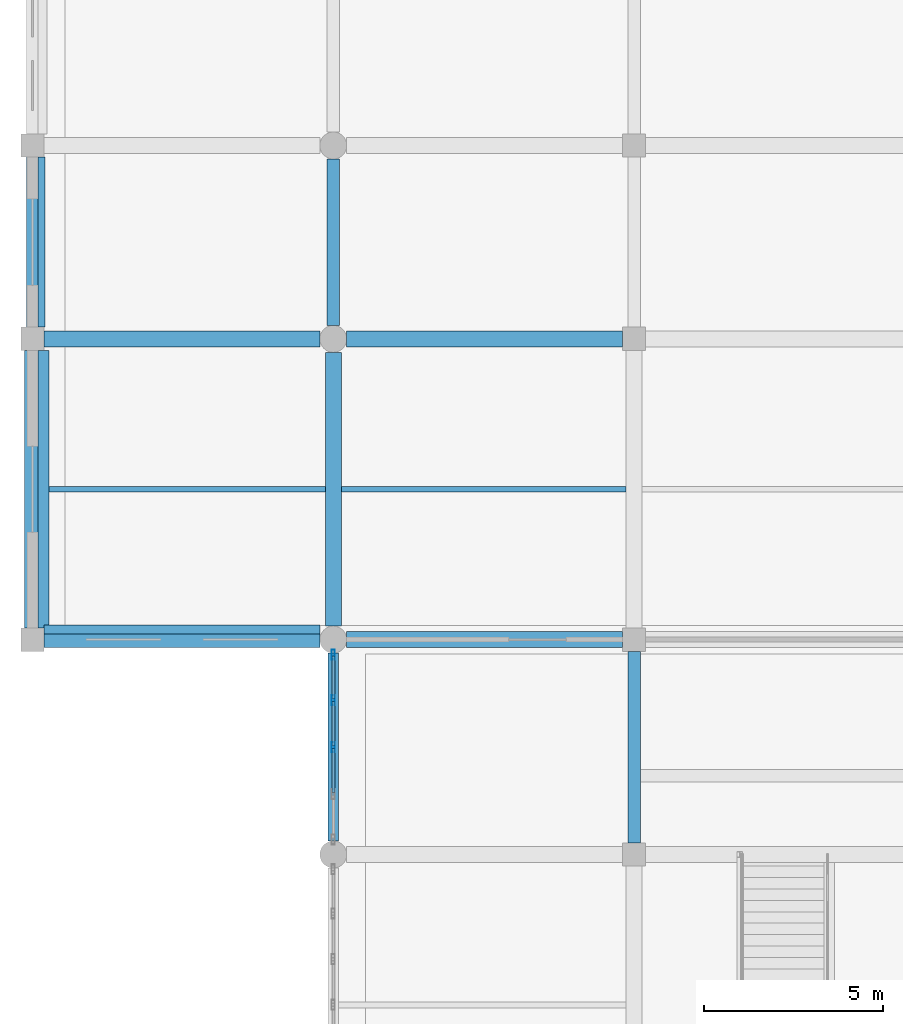
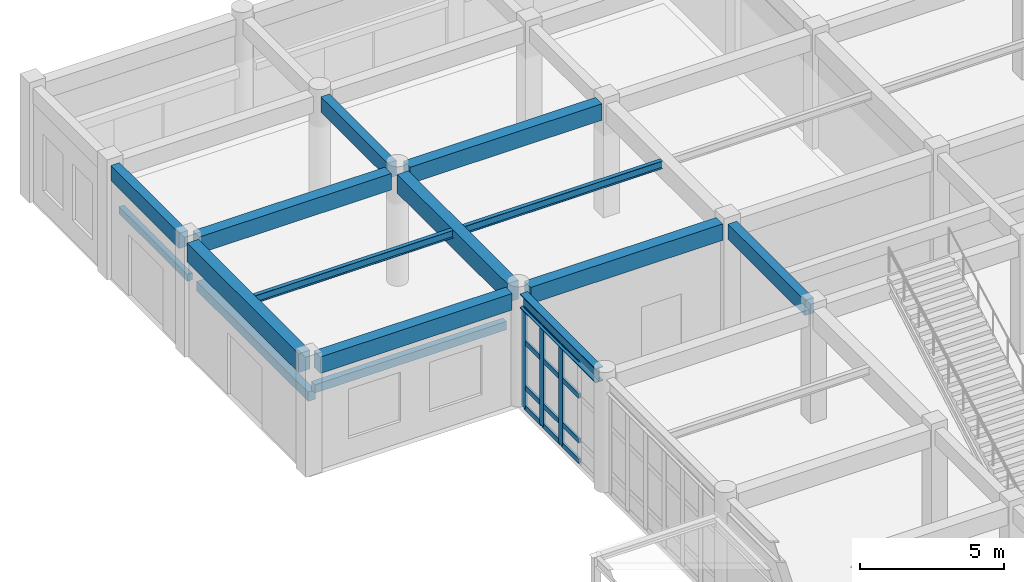
# One storey, part 30 of 80: 15 beams, 15 members, 1 element without a shape of its own.
"""IFC4 building model written with IfcOpenShell, lengths in metres."""

from ifc_helpers import new_model, si_unit, direction, frame, origin, origin_2d, place, context, subcontext, project, spatial, rectangle, hollow_rectangle, i_section, extrude, material, layer, layer_set, material_profile, profile_set, type_object, element, aggregate, save


model = new_model("IFC4")

# Units and contexts
model_context = context("Model", 3, precision=1e-05, world=origin(), true_north=direction((0.0, 1.0)))
body_context = subcontext(model_context, "Body", "Model", "MODEL_VIEW")
ifc_project = project(units=[si_unit("LENGTHUNIT", "METRE"), si_unit("AREAUNIT", "SQUARE_METRE"), si_unit("VOLUMEUNIT", "CUBIC_METRE"), si_unit("PLANEANGLEUNIT", "RADIAN"), si_unit("MASSUNIT", "GRAM", prefix="KILO")], contexts=[model_context])

# Site, building, storey
site_placement = place(None, origin())
site = spatial("IfcSite", under=ifc_project, at=site_placement, CompositionType="ELEMENT")
building_placement = place(site_placement, origin())
building = spatial("IfcBuilding", under=site, at=building_placement, Name="Krzemoval Escarpment Law Courts", CompositionType="ELEMENT")
storey_placement = place(building_placement, origin())
storey = spatial("IfcBuildingStorey", under=building, at=storey_placement, Name="L00", CompositionType="ELEMENT", Elevation=0.0)

# Beams
ifc_material_1 = material(Name="Concrete C40/50", Category="concrete")
ifc_material_profile_1 = material_profile(ifc_material_1, rectangle(XDim=0.35009765625, YDim=0.64990234375, at=origin_2d()), Name="RCB 350x650")
ifc_profile_set_1 = profile_set([ifc_material_profile_1], Name="Concrete C40/50")
beam_type_1 = type_object("IfcBeamType", Name="BM-RC-350x650", PredefinedType="BEAM", material=ifc_profile_set_1)
beam_1_placement = place(storey_placement, frame((0.0, 108.324951171875, 4.4951171875), z_axis=(0.0, 1.0, 0.0), x_axis=(-1.0, 0.0, 0.0)))
element("IfcBeam", 1, at=beam_1_placement, inside=storey, type_object=beam_type_1, Name="Beam FG-L00-0818", PredefinedType="BEAM", context=body_context, shape_type="SweptSolid", body=[
    extrude(rectangle(XDim=0.35009765625, YDim=0.64990234375, at=origin_2d()), origin(), (0.0, 0.0, 1.0), 4.75),
])
beam_2_placement = place(storey_placement, frame((8.39990234375, 108.375, 4.4951171875), z_axis=(0.0, 1.0, 0.0), x_axis=(-1.0, 0.0, 0.0)))
element("IfcBeam", 2, at=beam_2_placement, inside=storey, type_object=beam_type_1, Name="Beam FG-L00-0834", PredefinedType="BEAM", context=body_context, shape_type="SweptSolid", body=[
    extrude(rectangle(XDim=0.35009765625, YDim=0.64990234375, at=origin_2d()), origin(), (0.0, 0.0, 1.0), 4.64990234375),
])
beam_3_placement = place(storey_placement, frame((16.800048828125, 93.925048828125, 4.4951171875), z_axis=(0.0, 1.0, 0.0), x_axis=(-1.0, 0.0, 0.0)))
element("IfcBeam", 3, at=beam_3_placement, inside=storey, type_object=beam_type_1, Name="Beam FG-L00-0848", PredefinedType="BEAM", context=body_context, shape_type="SweptSolid", body=[
    extrude(rectangle(XDim=0.35009765625, YDim=0.64990234375, at=origin_2d()), origin(), (0.0, 0.0, 1.0), 5.349853515625),
])
ifc_material_2 = material(Name="Concrete C40/50", Category="concrete")
ifc_material_profile_2 = material_profile(ifc_material_2, rectangle(XDim=0.449951171875, YDim=0.699951171875, at=origin_2d()), Name="RCB 450x700")
ifc_profile_set_2 = profile_set([ifc_material_profile_2], Name="Concrete C40/50")
beam_type_2 = type_object("IfcBeamType", Name="BM-RC-450x700", PredefinedType="BEAM", material=ifc_profile_set_2)
beam_4_placement = place(storey_placement, frame((0.324951171875, 99.60009765625, 4.469970703125), z_axis=(1.0, 0.0, 0.0), x_axis=(0.0, 1.0, 0.0)))
element("IfcBeam", 4, at=beam_4_placement, inside=storey, type_object=beam_type_2, Name="Beam FG-L00-0741", PredefinedType="BEAM", context=body_context, shape_type="SweptSolid", body=[
    extrude(rectangle(XDim=0.449951171875, YDim=0.699951171875, at=origin_2d()), origin(), (0.0, 0.0, 1.0), 7.699951171875),
])
beam_5_placement = place(storey_placement, frame((8.77490234375, 99.60009765625, 4.469970703125), z_axis=(1.0, 0.0, 0.0), x_axis=(0.0, 1.0, 0.0)))
element("IfcBeam", 5, at=beam_5_placement, inside=storey, type_object=beam_type_2, Name="Beam FG-L00-0742", PredefinedType="BEAM", context=body_context, shape_type="SweptSolid", body=[
    extrude(rectangle(XDim=0.449951171875, YDim=0.699951171875, at=origin_2d()), origin(), (0.0, 0.0, 1.0), 7.7001953125),
])
beam_6_placement = place(storey_placement, frame((0.324951171875, 108.0, 4.469970703125), z_axis=(1.0, 0.0, 0.0), x_axis=(0.0, 1.0, 0.0)))
element("IfcBeam", 6, at=beam_6_placement, inside=storey, type_object=beam_type_2, Name="Beam FG-L00-0760", PredefinedType="BEAM", context=body_context, shape_type="SweptSolid", body=[
    extrude(rectangle(XDim=0.449951171875, YDim=0.699951171875, at=origin_2d()), origin(), (0.0, 0.0, 1.0), 7.699951171875),
])
beam_7_placement = place(storey_placement, frame((8.77490234375, 108.0, 4.469970703125), z_axis=(1.0, 0.0, 0.0), x_axis=(0.0, 1.0, 0.0)))
element("IfcBeam", 7, at=beam_7_placement, inside=storey, type_object=beam_type_2, Name="Beam FG-L00-0761", PredefinedType="BEAM", context=body_context, shape_type="SweptSolid", body=[
    extrude(rectangle(XDim=0.449951171875, YDim=0.699951171875, at=origin_2d()), origin(), (0.0, 0.0, 1.0), 7.7001953125),
])
ifc_material_3 = material(Name="Concrete C40/50", Category="concrete")
ifc_material_profile_3 = material_profile(ifc_material_3, rectangle(XDim=0.449951171875, YDim=0.800048828125, at=origin_2d()), Name="RCB 450x800")
ifc_profile_set_3 = profile_set([ifc_material_profile_3], Name="Concrete C40/50")
beam_type_3 = type_object("IfcBeamType", Name="BM-RC-450x800", PredefinedType="BEAM", material=ifc_profile_set_3)
beam_8_placement = place(storey_placement, frame((0.0, 99.925048828125, 4.419921875), z_axis=(0.0, 1.0, 0.0), x_axis=(-1.0, 0.0, 0.0)))
element("IfcBeam", 8, at=beam_8_placement, inside=storey, type_object=beam_type_3, Name="Beam FG-L00-0817", PredefinedType="BEAM", context=body_context, shape_type="SweptSolid", body=[
    extrude(rectangle(XDim=0.449951171875, YDim=0.800048828125, at=origin_2d()), origin(), (0.0, 0.0, 1.0), 7.75),
])
beam_9_placement = place(storey_placement, frame((8.39990234375, 99.97509765625, 4.419921875), z_axis=(0.0, 1.0, 0.0), x_axis=(-1.0, 0.0, 0.0)))
element("IfcBeam", 9, at=beam_9_placement, inside=storey, type_object=beam_type_3, Name="Beam FG-L00-0833", PredefinedType="BEAM", context=body_context, shape_type="SweptSolid", body=[
    extrude(rectangle(XDim=0.449951171875, YDim=0.800048828125, at=origin_2d()), origin(), (0.0, 0.0, 1.0), 7.64990234375),
])

# Curtain wall, members
ifc_material_4 = material(Name="Aluminium 6063-T6", Category="aluminium")
ifc_layer = layer(ifc_material_4, 0.280029296875)
ifc_layer_set = layer_set([ifc_layer], Name="Aluminium 6063-T6")
curtain_wall_type = type_object("IfcCurtainWallType", Name="CW-HALL-5100", PredefinedType="USERDEFINED", material=ifc_layer_set)
curtain_wall_placement = place(storey_placement, origin())
curtain_wall = element("IfcCurtainWall", 10, at=curtain_wall_placement, inside=storey, type_object=curtain_wall_type, Name="Unitised Curtain Wall FCW-L00-005", ObjectType="UNITISED_CURTAIN_WALL", PredefinedType="USERDEFINED")
ifc_material_5 = material(Name="Aluminium 6063-T6", Category="aluminium")
ifc_material_profile_4 = material_profile(ifc_material_5, hollow_rectangle(XDim=0.0849609375, YDim=0.280029296875, WallThickness=0.005615234375, at=origin_2d()), Name="ALU M85x280")
ifc_profile_set_4 = profile_set([ifc_material_profile_4], Name="Aluminium 6063-T6")
member_type_1 = type_object("IfcMemberType", Name="CWM-85x280", PredefinedType="MULLION", material=ifc_profile_set_4)
member_1_placement = place(storey_placement, frame((8.39990234375, 96.60009765625, 0.0), z_axis=(0.0, 0.0, 1.0), x_axis=(-1.0, 0.0, 0.0)))
member_1 = element("IfcMember", 11, at=member_1_placement, type_object=member_type_1, Name="FCW-L00-005 mullion 3", PredefinedType="MULLION", context=body_context, shape_type="SweptSolid", body=[
    extrude(hollow_rectangle(XDim=0.0849609375, YDim=0.280029296875, WallThickness=0.005615234375, at=origin_2d()), origin(), (0.0, 0.0, 1.0), 4.219970703125),
])
member_2_placement = place(storey_placement, frame((8.39990234375, 97.91259765625, 0.0), z_axis=(0.0, 0.0, 1.0), x_axis=(-1.0, 0.0, 0.0)))
member_2 = element("IfcMember", 12, at=member_2_placement, type_object=member_type_1, Name="FCW-L00-005 mullion 4", PredefinedType="MULLION", context=body_context, shape_type="SweptSolid", body=[
    extrude(hollow_rectangle(XDim=0.0849609375, YDim=0.280029296875, WallThickness=0.005615234375, at=origin_2d()), origin(), (0.0, 0.0, 1.0), 4.219970703125),
])
member_3_placement = place(storey_placement, frame((8.39990234375, 99.1826171875, 0.0), z_axis=(0.0, 0.0, 1.0), x_axis=(-1.0, 0.0, 0.0)))
member_3 = element("IfcMember", 13, at=member_3_placement, type_object=member_type_1, Name="FCW-L00-005 mullion 5", PredefinedType="MULLION", context=body_context, shape_type="SweptSolid", body=[
    extrude(hollow_rectangle(XDim=0.0849609375, YDim=0.280029296875, WallThickness=0.005615234375, at=origin_2d()), origin(), (0.0, 0.0, 1.0), 4.219970703125),
])
ifc_material_6 = material(Name="Aluminium 6063-T6", Category="aluminium")
ifc_material_profile_5 = material_profile(ifc_material_6, hollow_rectangle(XDim=0.0849609375, YDim=0.2099609375, WallThickness=0.005615234375, at=origin_2d()), Name="ALU T85x210")
ifc_profile_set_5 = profile_set([ifc_material_profile_5], Name="Aluminium 6063-T6")
member_type_2 = type_object("IfcMemberType", Name="CWT-85x210", PredefinedType="USERDEFINED", material=ifc_profile_set_5)
member_4_placement = place(storey_placement, frame((8.39990234375, 95.330078125, 0.04248046875), z_axis=(0.0, 1.0, 0.0), x_axis=(-1.0, 0.0, 0.0)))
member_4 = element("IfcMember", 14, at=member_4_placement, type_object=member_type_2, Name="FCW-L00-005 transom 2.1", ObjectType="TRANSOM", PredefinedType="USERDEFINED", context=body_context, shape_type="SweptSolid", body=[
    extrude(hollow_rectangle(XDim=0.0849609375, YDim=0.2099609375, WallThickness=0.005615234375, at=origin_2d()), origin(), (0.0, 0.0, 1.0), 1.2275390625),
])
member_5_placement = place(storey_placement, frame((8.39990234375, 95.330078125, 0.89990234375), z_axis=(0.0, 1.0, 0.0), x_axis=(-1.0, 0.0, 0.0)))
member_5 = element("IfcMember", 15, at=member_5_placement, type_object=member_type_2, Name="FCW-L00-005 transom 2.2", ObjectType="TRANSOM", PredefinedType="USERDEFINED", context=body_context, shape_type="SweptSolid", body=[
    extrude(hollow_rectangle(XDim=0.0849609375, YDim=0.2099609375, WallThickness=0.005615234375, at=origin_2d()), origin(), (0.0, 0.0, 1.0), 1.2275390625),
])
member_6_placement = place(storey_placement, frame((8.39990234375, 95.330078125, 2.800048828125), z_axis=(0.0, 1.0, 0.0), x_axis=(-1.0, 0.0, 0.0)))
member_6 = element("IfcMember", 16, at=member_6_placement, type_object=member_type_2, Name="FCW-L00-005 transom 2.3", ObjectType="TRANSOM", PredefinedType="USERDEFINED", context=body_context, shape_type="SweptSolid", body=[
    extrude(hollow_rectangle(XDim=0.0849609375, YDim=0.2099609375, WallThickness=0.005615234375, at=origin_2d()), origin(), (0.0, 0.0, 1.0), 1.2275390625),
])
member_7_placement = place(storey_placement, frame((8.39990234375, 95.330078125, 4.177490234375), z_axis=(0.0, 1.0, 0.0), x_axis=(-1.0, 0.0, 0.0)))
member_7 = element("IfcMember", 17, at=member_7_placement, type_object=member_type_2, Name="FCW-L00-005 transom 2.4", ObjectType="TRANSOM", PredefinedType="USERDEFINED", context=body_context, shape_type="SweptSolid", body=[
    extrude(hollow_rectangle(XDim=0.0849609375, YDim=0.2099609375, WallThickness=0.005615234375, at=origin_2d()), origin(), (0.0, 0.0, 1.0), 1.2275390625),
])
member_8_placement = place(storey_placement, frame((8.39990234375, 96.642578125, 0.04248046875), z_axis=(0.0, 1.0, 0.0), x_axis=(-1.0, 0.0, 0.0)))
member_8 = element("IfcMember", 18, at=member_8_placement, type_object=member_type_2, Name="FCW-L00-005 transom 3.1", ObjectType="TRANSOM", PredefinedType="USERDEFINED", context=body_context, shape_type="SweptSolid", body=[
    extrude(hollow_rectangle(XDim=0.0849609375, YDim=0.2099609375, WallThickness=0.005615234375, at=origin_2d()), origin(), (0.0, 0.0, 1.0), 1.2275390625),
])
member_9_placement = place(storey_placement, frame((8.39990234375, 96.642578125, 0.89990234375), z_axis=(0.0, 1.0, 0.0), x_axis=(-1.0, 0.0, 0.0)))
member_9 = element("IfcMember", 19, at=member_9_placement, type_object=member_type_2, Name="FCW-L00-005 transom 3.2", ObjectType="TRANSOM", PredefinedType="USERDEFINED", context=body_context, shape_type="SweptSolid", body=[
    extrude(hollow_rectangle(XDim=0.0849609375, YDim=0.2099609375, WallThickness=0.005615234375, at=origin_2d()), origin(), (0.0, 0.0, 1.0), 1.2275390625),
])
member_10_placement = place(storey_placement, frame((8.39990234375, 96.642578125, 2.800048828125), z_axis=(0.0, 1.0, 0.0), x_axis=(-1.0, 0.0, 0.0)))
member_10 = element("IfcMember", 20, at=member_10_placement, type_object=member_type_2, Name="FCW-L00-005 transom 3.3", ObjectType="TRANSOM", PredefinedType="USERDEFINED", context=body_context, shape_type="SweptSolid", body=[
    extrude(hollow_rectangle(XDim=0.0849609375, YDim=0.2099609375, WallThickness=0.005615234375, at=origin_2d()), origin(), (0.0, 0.0, 1.0), 1.2275390625),
])
member_11_placement = place(storey_placement, frame((8.39990234375, 96.642578125, 4.177490234375), z_axis=(0.0, 1.0, 0.0), x_axis=(-1.0, 0.0, 0.0)))
member_11 = element("IfcMember", 21, at=member_11_placement, type_object=member_type_2, Name="FCW-L00-005 transom 3.4", ObjectType="TRANSOM", PredefinedType="USERDEFINED", context=body_context, shape_type="SweptSolid", body=[
    extrude(hollow_rectangle(XDim=0.0849609375, YDim=0.2099609375, WallThickness=0.005615234375, at=origin_2d()), origin(), (0.0, 0.0, 1.0), 1.2275390625),
])
member_12_placement = place(storey_placement, frame((8.39990234375, 97.955078125, 0.04248046875), z_axis=(0.0, 1.0, 0.0), x_axis=(-1.0, 0.0, 0.0)))
member_12 = element("IfcMember", 22, at=member_12_placement, type_object=member_type_2, Name="FCW-L00-005 transom 4.1", ObjectType="TRANSOM", PredefinedType="USERDEFINED", context=body_context, shape_type="SweptSolid", body=[
    extrude(hollow_rectangle(XDim=0.0849609375, YDim=0.2099609375, WallThickness=0.005615234375, at=origin_2d()), origin(), (0.0, 0.0, 1.0), 1.184814453125),
])
member_13_placement = place(storey_placement, frame((8.39990234375, 97.955078125, 0.89990234375), z_axis=(0.0, 1.0, 0.0), x_axis=(-1.0, 0.0, 0.0)))
member_13 = element("IfcMember", 23, at=member_13_placement, type_object=member_type_2, Name="FCW-L00-005 transom 4.2", ObjectType="TRANSOM", PredefinedType="USERDEFINED", context=body_context, shape_type="SweptSolid", body=[
    extrude(hollow_rectangle(XDim=0.0849609375, YDim=0.2099609375, WallThickness=0.005615234375, at=origin_2d()), origin(), (0.0, 0.0, 1.0), 1.184814453125),
])
member_14_placement = place(storey_placement, frame((8.39990234375, 97.955078125, 2.800048828125), z_axis=(0.0, 1.0, 0.0), x_axis=(-1.0, 0.0, 0.0)))
member_14 = element("IfcMember", 24, at=member_14_placement, type_object=member_type_2, Name="FCW-L00-005 transom 4.3", ObjectType="TRANSOM", PredefinedType="USERDEFINED", context=body_context, shape_type="SweptSolid", body=[
    extrude(hollow_rectangle(XDim=0.0849609375, YDim=0.2099609375, WallThickness=0.005615234375, at=origin_2d()), origin(), (0.0, 0.0, 1.0), 1.184814453125),
])
member_15_placement = place(storey_placement, frame((8.39990234375, 97.955078125, 4.177490234375), z_axis=(0.0, 1.0, 0.0), x_axis=(-1.0, 0.0, 0.0)))
member_15 = element("IfcMember", 25, at=member_15_placement, type_object=member_type_2, Name="FCW-L00-005 transom 4.4", ObjectType="TRANSOM", PredefinedType="USERDEFINED", context=body_context, shape_type="SweptSolid", body=[
    extrude(hollow_rectangle(XDim=0.0849609375, YDim=0.2099609375, WallThickness=0.005615234375, at=origin_2d()), origin(), (0.0, 0.0, 1.0), 1.184814453125),
])
aggregate(curtain_wall, [member_1, member_2, member_3, member_4, member_5, member_6, member_7, member_8, member_9, member_10, member_11, member_12, member_13, member_14, member_15])

# Beams
ifc_material_7 = material(Name="Steel S355", Category="steel")
ifc_material_profile_6 = material_profile(ifc_material_7, i_section(OverallWidth=0.159912109375, OverallDepth=0.330078125, WebThickness=0.007568359375, FlangeThickness=0.011474609375, at=origin_2d()), Name="IPE 330")
ifc_profile_set_6 = profile_set([ifc_material_profile_6], Name="Steel S355")
beam_type_4 = type_object("IfcBeamType", Name="JST-S355-IPE330", PredefinedType="JOIST", material=ifc_profile_set_6)
for number, where, z_axis, x_axis, name in (
    (26, (0.22509765625, 103.800048828125, 4.655029296875), (1.0, 0.0, 0.0), (0.0, 1.0, 0.0), "Secondary Joist FJ-L00-1042"),
    (27, (8.625, 103.800048828125, 4.655029296875), (1.0, 0.0, 0.0), (0.0, 1.0, 0.0), "Secondary Joist FJ-L00-1052"),
):
    element("IfcBeam", number, at=place(storey_placement, frame(where, z_axis=z_axis, x_axis=x_axis)), inside=storey, type_object=beam_type_4, Name=name, PredefinedType="JOIST", context=body_context, shape_type="SweptSolid", body=[
        extrude(i_section(OverallWidth=0.159912109375, OverallDepth=0.330078125, WebThickness=0.007568359375, FlangeThickness=0.011474609375, at=origin_2d()), origin(), (0.0, 0.0, 1.0), 7.949951171875),
    ])
ifc_material_8 = material(Name="Concrete C40/50", Category="concrete")
ifc_material_profile_7 = material_profile(ifc_material_8, rectangle(XDim=0.199951171875, YDim=0.300048828125, at=origin_2d()), Name="LIN 200x300")
ifc_profile_set_7 = profile_set([ifc_material_profile_7], Name="Concrete C40/50")
beam_type_5 = type_object("IfcBeamType", Name="LIN-RC-200x300", PredefinedType="LINTEL", material=ifc_profile_set_7)
beam_10_placement = place(storey_placement, frame((0.2548828125, 108.324951171875, 2.81005859375), z_axis=(0.0, 1.0, 0.0), x_axis=(-1.0, 0.0, 0.0)))
element("IfcBeam", 28, at=beam_10_placement, inside=storey, type_object=beam_type_5, Name="Opening Lintel FLN-007", PredefinedType="LINTEL", context=body_context, shape_type="SweptSolid", body=[
    extrude(rectangle(XDim=0.199951171875, YDim=0.300048828125, at=origin_2d()), origin(), (0.0, 0.0, 1.0), 4.75),
])
ifc_material_9 = material(Name="Concrete C40/50", Category="concrete")
ifc_material_profile_8 = material_profile(ifc_material_9, rectangle(XDim=0.25, YDim=0.35009765625, at=origin_2d()), Name="LIN 250x350")
ifc_profile_set_8 = profile_set([ifc_material_profile_8], Name="Concrete C40/50")
beam_type_6 = type_object("IfcBeamType", Name="LIN-RC-250x350", PredefinedType="LINTEL", material=ifc_profile_set_8)
beam_11_placement = place(storey_placement, frame((8.02490234375, 99.8798828125, 3.235107421875), z_axis=(-1.0, 0.0, 0.0), x_axis=(0.0, -1.0, 0.0)))
element("IfcBeam", 29, at=beam_11_placement, inside=storey, type_object=beam_type_6, Name="Opening Lintel FLN-005", PredefinedType="LINTEL", context=body_context, shape_type="SweptSolid", body=[
    extrude(rectangle(XDim=0.25, YDim=0.35009765625, at=origin_2d()), origin(), (0.0, 0.0, 1.0), 7.699951171875),
])
ifc_material_10 = material(Name="Concrete C40/50", Category="concrete")
ifc_material_profile_9 = material_profile(ifc_material_10, rectangle(XDim=0.300048828125, YDim=0.39990234375, at=origin_2d()), Name="LIN 300x400")
ifc_profile_set_9 = profile_set([ifc_material_profile_9], Name="Concrete C40/50")
beam_type_7 = type_object("IfcBeamType", Name="LIN-RC-300x400", PredefinedType="LINTEL", material=ifc_profile_set_9)
beam_12_placement = place(storey_placement, frame((0.304931640625, 99.925048828125, 2.860107421875), z_axis=(0.0, 1.0, 0.0), x_axis=(-1.0, 0.0, 0.0)))
element("IfcBeam", 30, at=beam_12_placement, inside=storey, type_object=beam_type_7, Name="Opening Lintel FLN-006", PredefinedType="LINTEL", context=body_context, shape_type="SweptSolid", body=[
    extrude(rectangle(XDim=0.300048828125, YDim=0.39990234375, at=origin_2d()), origin(), (0.0, 0.0, 1.0), 7.75),
])
ifc_material_11 = material(Name="Steel S355", Category="steel")
ifc_material_profile_10 = material_profile(ifc_material_11, i_section(OverallWidth=0.300048828125, OverallDepth=0.60009765625, WebThickness=0.015380859375, FlangeThickness=0.030029296875, at=origin_2d()), Name="HEB 600")
ifc_profile_set_10 = profile_set([ifc_material_profile_10], Name="Steel S355")
beam_type_8 = type_object("IfcBeamType", Name="SPN-S355-HEB600", PredefinedType="SPANDREL", material=ifc_profile_set_10)
beam_13_placement = place(storey_placement, frame((8.39990234375, 93.97509765625, 4.52001953125), z_axis=(0.0, 1.0, 0.0), x_axis=(-1.0, 0.0, 0.0)))
element("IfcBeam", 31, at=beam_13_placement, inside=storey, type_object=beam_type_8, Name="Beam FG-L00-0832", PredefinedType="SPANDREL", context=body_context, shape_type="SweptSolid", body=[
    extrude(i_section(OverallWidth=0.300048828125, OverallDepth=0.60009765625, WebThickness=0.015380859375, FlangeThickness=0.030029296875, at=origin_2d()), origin(), (0.0, 0.0, 1.0), 5.25),
])

save(model, "model.ifc")
